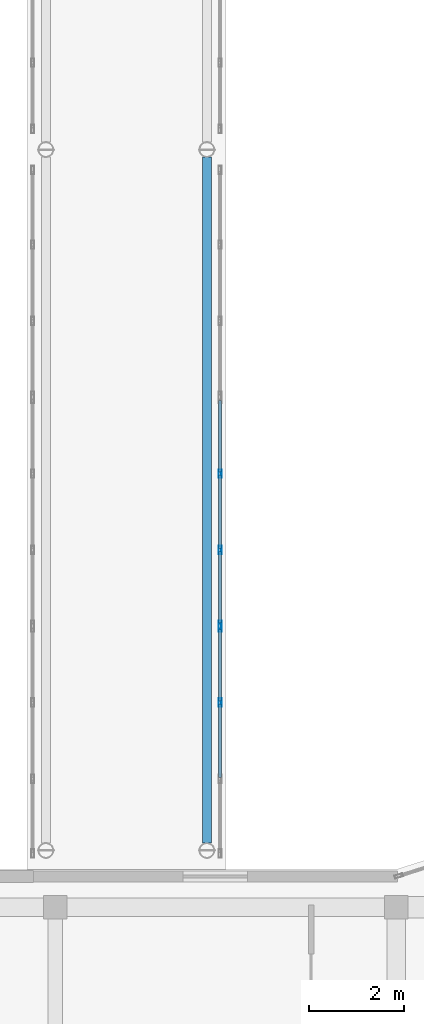
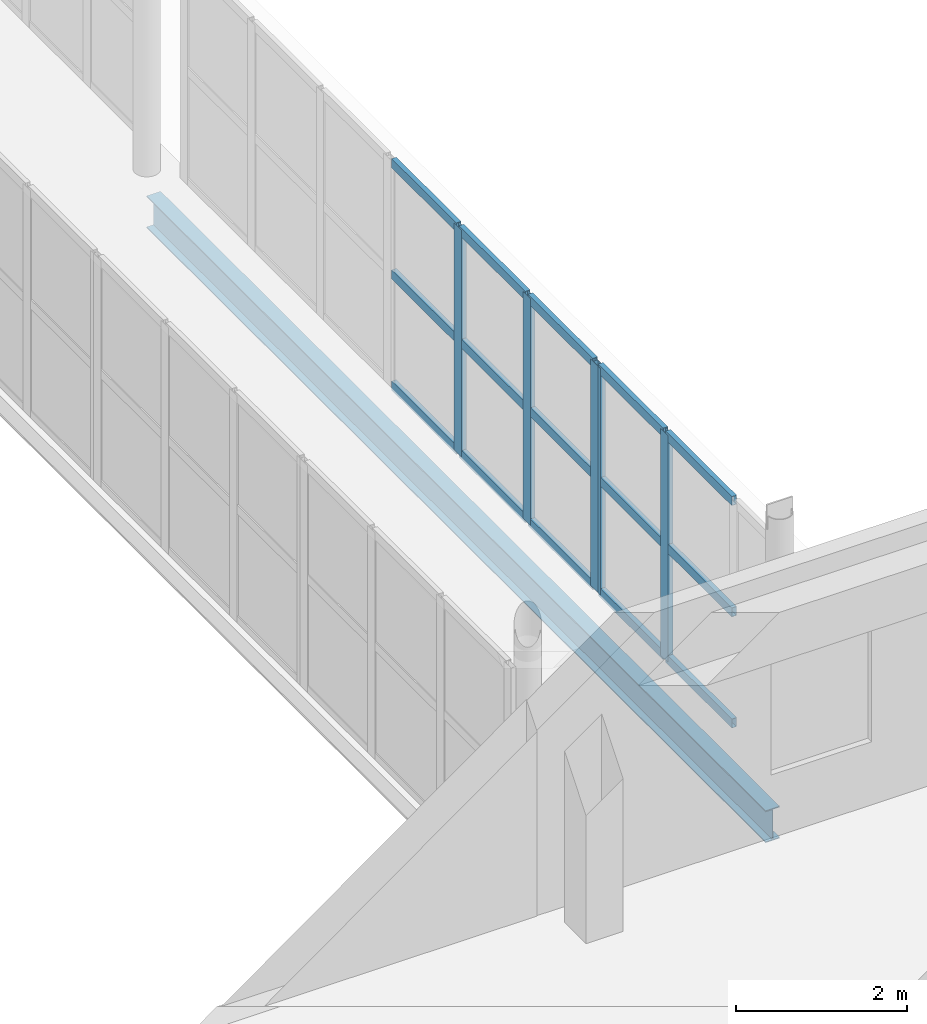
# One storey, part 22 of 52: 20 members, 1 beam, 2 elements without a shape of their own.
"""IFC4 building model written with IfcOpenShell, lengths in metres."""

from ifc_helpers import new_model, si_unit, direction, frame, origin, origin_2d, place, context, subcontext, project, spatial, hollow_rectangle, i_section, extrude, material, layer, layer_set, material_profile, profile_set, type_object, element, aggregate, save


model = new_model("IFC4")

# Units and contexts
model_context = context("Model", 3, precision=1e-05, world=origin(), true_north=direction((0.0, 1.0)))
body_context = subcontext(model_context, "Body", "Model", "MODEL_VIEW")
ifc_project = project(units=[si_unit("LENGTHUNIT", "METRE"), si_unit("AREAUNIT", "SQUARE_METRE"), si_unit("VOLUMEUNIT", "CUBIC_METRE"), si_unit("PLANEANGLEUNIT", "RADIAN"), si_unit("MASSUNIT", "GRAM", prefix="KILO")], contexts=[model_context])

# Site, building, storey
site_placement = place(None, origin())
site = spatial("IfcSite", under=ifc_project, at=site_placement, CompositionType="ELEMENT")
building_placement = place(site_placement, origin())
building = spatial("IfcBuilding", under=site, at=building_placement, Name="Valcora Specialist Clinic", CompositionType="ELEMENT")
storey_placement = place(building_placement, frame((0.0, 0.0, 17.679931640625)))
storey = spatial("IfcBuildingStorey", under=building, at=storey_placement, Name="L04", CompositionType="ELEMENT", Elevation=17.679931640625)

# Beam
ifc_material_1 = material(Name="Steel ASTM A992 Grade 50", Category="steel")
ifc_material_profile_1 = material_profile(ifc_material_1, i_section(OverallWidth=0.18994140625, OverallDepth=0.45703125, WebThickness=0.009033203125, FlangeThickness=0.014892578125, at=origin_2d()), Name="ST-IR-460X190")
ifc_profile_set_1 = profile_set([ifc_material_profile_1], Name="Steel ASTM A992 Grade 50")
beam_type = type_object("IfcBeamType", Name="TY-BG-IR460", PredefinedType="HOLLOWCORE", material=ifc_profile_set_1)
beam_placement = place(storey_placement, frame((65.0, 23.360107421875, -0.482421875), z_axis=(0.0, 1.0, 0.0), x_axis=(-1.0, 0.0, 0.0)))
element("IfcBeam", 1, at=beam_placement, inside=storey, type_object=beam_type, Name="Bridge girder BM-L04-1633", PredefinedType="HOLLOWCORE", context=body_context, shape_type="SweptSolid", body=[
    extrude(i_section(OverallWidth=0.18994140625, OverallDepth=0.45703125, WebThickness=0.009033203125, FlangeThickness=0.014892578125, at=origin_2d()), origin(), (0.0, 0.0, 1.0), 14.47998046875),
])

# Curtain wall, members
ifc_material_2 = material(Name="Anodized Bronze Aluminium 6063-T6", Category="aluminium")
ifc_layer = layer(ifc_material_2, 0.175048828125)
ifc_layer_set = layer_set([ifc_layer], Name="Anodized Bronze Aluminium 6063-T6")
curtain_wall_type = type_object("IfcCurtainWallType", Name="TY-CW-BRG14", PredefinedType="NOTDEFINED", material=ifc_layer_set)
curtain_wall_1_placement = place(storey_placement, origin())
curtain_wall_1 = element("IfcCurtainWall", 2, at=curtain_wall_1_placement, inside=storey, type_object=curtain_wall_type, Name="Curtain wall CW-L04-276", PredefinedType="NOTDEFINED")
ifc_material_profile_2 = material_profile(ifc_material_2, hollow_rectangle(XDim=0.06494140625, YDim=0.175048828125, WallThickness=0.00390625, at=origin_2d()), Name="AL-MUL-65X175")
ifc_profile_set_2 = profile_set([ifc_material_profile_2], Name="Anodized Bronze Aluminium 6063-T6")
member_type_1 = type_object("IfcMemberType", Name="TY-CWM-65X175", PredefinedType="MULLION", material=ifc_profile_set_2)
member_1_placement = place(storey_placement, frame((65.280029296875, 26.322265625, 0.0), z_axis=(0.0, 0.0, 1.0), x_axis=(-1.0, 0.0, 0.0)))
member_1 = element("IfcMember", 3, at=member_1_placement, type_object=member_type_1, Name="CW-BRG-14 mullion 3", PredefinedType="MULLION", context=body_context, shape_type="SweptSolid", body=[
    extrude(hollow_rectangle(XDim=0.06494140625, YDim=0.175048828125, WallThickness=0.00390625, at=origin_2d()), origin(), (0.0, 0.0, 1.0), 3.239990234375),
])
member_2_placement = place(storey_placement, frame((65.280029296875, 27.90087890625, 0.0), z_axis=(0.0, 0.0, 1.0), x_axis=(-1.0, 0.0, 0.0)))
member_2 = element("IfcMember", 4, at=member_2_placement, type_object=member_type_1, Name="CW-BRG-14 mullion 4", PredefinedType="MULLION", context=body_context, shape_type="SweptSolid", body=[
    extrude(hollow_rectangle(XDim=0.06494140625, YDim=0.175048828125, WallThickness=0.00390625, at=origin_2d()), origin(), (0.0, 0.0, 1.0), 3.239990234375),
])

curtain_wall_2_placement = place(storey_placement, origin())
curtain_wall_2 = element("IfcCurtainWall", 5, at=curtain_wall_2_placement, inside=storey, type_object=curtain_wall_type, Name="Curtain wall CW-L04-277", PredefinedType="NOTDEFINED")
member_3_placement = place(storey_placement, frame((65.280029296875, 27.9658203125, 0.0), z_axis=(0.0, 0.0, 1.0), x_axis=(-1.0, 0.0, 0.0)))
member_3 = element("IfcMember", 6, at=member_3_placement, type_object=member_type_1, Name="CW-BRG-14 mullion 1", PredefinedType="MULLION", context=body_context, shape_type="SweptSolid", body=[
    extrude(hollow_rectangle(XDim=0.06494140625, YDim=0.175048828125, WallThickness=0.00390625, at=origin_2d()), origin(), (0.0, 0.0, 1.0), 3.239990234375),
])
member_4_placement = place(storey_placement, frame((65.280029296875, 29.54443359375, 0.0), z_axis=(0.0, 0.0, 1.0), x_axis=(-1.0, 0.0, 0.0)))
member_4 = element("IfcMember", 7, at=member_4_placement, type_object=member_type_1, Name="CW-BRG-14 mullion 2", PredefinedType="MULLION", context=body_context, shape_type="SweptSolid", body=[
    extrude(hollow_rectangle(XDim=0.06494140625, YDim=0.175048828125, WallThickness=0.00390625, at=origin_2d()), origin(), (0.0, 0.0, 1.0), 3.239990234375),
])
member_5_placement = place(storey_placement, frame((65.280029296875, 31.155517578125, 0.0), z_axis=(0.0, 0.0, 1.0), x_axis=(-1.0, 0.0, 0.0)))
member_5 = element("IfcMember", 8, at=member_5_placement, type_object=member_type_1, Name="CW-BRG-14 mullion 3", PredefinedType="MULLION", context=body_context, shape_type="SweptSolid", body=[
    extrude(hollow_rectangle(XDim=0.06494140625, YDim=0.175048828125, WallThickness=0.00390625, at=origin_2d()), origin(), (0.0, 0.0, 1.0), 3.239990234375),
])

# Member
ifc_material_profile_3 = material_profile(ifc_material_2, hollow_rectangle(XDim=0.06494140625, YDim=0.1298828125, WallThickness=0.00390625, at=origin_2d()), Name="AL-TRN-65X130")
ifc_profile_set_3 = profile_set([ifc_material_profile_3], Name="Anodized Bronze Aluminium 6063-T6")
member_type_2 = type_object("IfcMemberType", Name="TY-CWT-65X130", PredefinedType="USERDEFINED", material=ifc_profile_set_3)
member_6_placement = place(storey_placement, frame((65.280029296875, 24.74365234375, 0.032470703125), z_axis=(0.0, 1.0, 0.0), x_axis=(-1.0, 0.0, 0.0)))
member_6 = element("IfcMember", 9, at=member_6_placement, type_object=member_type_2, Name="CW-BRG-14 transom 2.1", ObjectType="TRANSOM", PredefinedType="USERDEFINED", context=body_context, shape_type="SweptSolid", body=[
    extrude(hollow_rectangle(XDim=0.06494140625, YDim=0.1298828125, WallThickness=0.00390625, at=origin_2d()), origin(), (0.0, 0.0, 1.0), 1.546142578125),
])

member_7_placement = place(storey_placement, frame((65.280029296875, 24.74365234375, 1.6201171875), z_axis=(0.0, 1.0, 0.0), x_axis=(-1.0, 0.0, 0.0)))
member_7 = element("IfcMember", 10, at=member_7_placement, type_object=member_type_2, Name="CW-BRG-14 transom 2.2", ObjectType="TRANSOM", PredefinedType="USERDEFINED", context=body_context, shape_type="SweptSolid", body=[
    extrude(hollow_rectangle(XDim=0.06494140625, YDim=0.1298828125, WallThickness=0.00390625, at=origin_2d()), origin(), (0.0, 0.0, 1.0), 1.546142578125),
])

member_8_placement = place(storey_placement, frame((65.280029296875, 24.74365234375, 3.20751953125), z_axis=(0.0, 1.0, 0.0), x_axis=(-1.0, 0.0, 0.0)))
member_8 = element("IfcMember", 11, at=member_8_placement, type_object=member_type_2, Name="CW-BRG-14 transom 2.3", ObjectType="TRANSOM", PredefinedType="USERDEFINED", context=body_context, shape_type="SweptSolid", body=[
    extrude(hollow_rectangle(XDim=0.06494140625, YDim=0.1298828125, WallThickness=0.00390625, at=origin_2d()), origin(), (0.0, 0.0, 1.0), 1.546142578125),
])

member_9_placement = place(storey_placement, frame((65.280029296875, 26.354736328125, 0.032470703125), z_axis=(0.0, 1.0, 0.0), x_axis=(-1.0, 0.0, 0.0)))
member_9 = element("IfcMember", 12, at=member_9_placement, type_object=member_type_2, Name="CW-BRG-14 transom 3.1", ObjectType="TRANSOM", PredefinedType="USERDEFINED", context=body_context, shape_type="SweptSolid", body=[
    extrude(hollow_rectangle(XDim=0.06494140625, YDim=0.1298828125, WallThickness=0.00390625, at=origin_2d()), origin(), (0.0, 0.0, 1.0), 1.513671875),
])

member_10_placement = place(storey_placement, frame((65.280029296875, 26.354736328125, 1.6201171875), z_axis=(0.0, 1.0, 0.0), x_axis=(-1.0, 0.0, 0.0)))
member_10 = element("IfcMember", 13, at=member_10_placement, type_object=member_type_2, Name="CW-BRG-14 transom 3.2", ObjectType="TRANSOM", PredefinedType="USERDEFINED", context=body_context, shape_type="SweptSolid", body=[
    extrude(hollow_rectangle(XDim=0.06494140625, YDim=0.1298828125, WallThickness=0.00390625, at=origin_2d()), origin(), (0.0, 0.0, 1.0), 1.513671875),
])

member_11_placement = place(storey_placement, frame((65.280029296875, 26.354736328125, 3.20751953125), z_axis=(0.0, 1.0, 0.0), x_axis=(-1.0, 0.0, 0.0)))
member_11 = element("IfcMember", 14, at=member_11_placement, type_object=member_type_2, Name="CW-BRG-14 transom 3.3", ObjectType="TRANSOM", PredefinedType="USERDEFINED", context=body_context, shape_type="SweptSolid", body=[
    extrude(hollow_rectangle(XDim=0.06494140625, YDim=0.1298828125, WallThickness=0.00390625, at=origin_2d()), origin(), (0.0, 0.0, 1.0), 1.513671875),
])

aggregate(curtain_wall_1, [member_1, member_2, member_6, member_7, member_8, member_9, member_10, member_11])

member_12_placement = place(storey_placement, frame((65.280029296875, 27.998291015625, 0.032470703125), z_axis=(0.0, 1.0, 0.0), x_axis=(-1.0, 0.0, 0.0)))
member_12 = element("IfcMember", 15, at=member_12_placement, type_object=member_type_2, Name="CW-BRG-14 transom 1.1", ObjectType="TRANSOM", PredefinedType="USERDEFINED", context=body_context, shape_type="SweptSolid", body=[
    extrude(hollow_rectangle(XDim=0.06494140625, YDim=0.1298828125, WallThickness=0.00390625, at=origin_2d()), origin(), (0.0, 0.0, 1.0), 1.513671875),
])

member_13_placement = place(storey_placement, frame((65.280029296875, 27.998291015625, 1.6201171875), z_axis=(0.0, 1.0, 0.0), x_axis=(-1.0, 0.0, 0.0)))
member_13 = element("IfcMember", 16, at=member_13_placement, type_object=member_type_2, Name="CW-BRG-14 transom 1.2", ObjectType="TRANSOM", PredefinedType="USERDEFINED", context=body_context, shape_type="SweptSolid", body=[
    extrude(hollow_rectangle(XDim=0.06494140625, YDim=0.1298828125, WallThickness=0.00390625, at=origin_2d()), origin(), (0.0, 0.0, 1.0), 1.513671875),
])

member_14_placement = place(storey_placement, frame((65.280029296875, 27.998291015625, 3.20751953125), z_axis=(0.0, 1.0, 0.0), x_axis=(-1.0, 0.0, 0.0)))
member_14 = element("IfcMember", 17, at=member_14_placement, type_object=member_type_2, Name="CW-BRG-14 transom 1.3", ObjectType="TRANSOM", PredefinedType="USERDEFINED", context=body_context, shape_type="SweptSolid", body=[
    extrude(hollow_rectangle(XDim=0.06494140625, YDim=0.1298828125, WallThickness=0.00390625, at=origin_2d()), origin(), (0.0, 0.0, 1.0), 1.513671875),
])

member_15_placement = place(storey_placement, frame((65.280029296875, 29.576904296875, 0.032470703125), z_axis=(0.0, 1.0, 0.0), x_axis=(-1.0, 0.0, 0.0)))
member_15 = element("IfcMember", 18, at=member_15_placement, type_object=member_type_2, Name="CW-BRG-14 transom 2.1", ObjectType="TRANSOM", PredefinedType="USERDEFINED", context=body_context, shape_type="SweptSolid", body=[
    extrude(hollow_rectangle(XDim=0.06494140625, YDim=0.1298828125, WallThickness=0.00390625, at=origin_2d()), origin(), (0.0, 0.0, 1.0), 1.546142578125),
])

member_16_placement = place(storey_placement, frame((65.280029296875, 29.576904296875, 1.6201171875), z_axis=(0.0, 1.0, 0.0), x_axis=(-1.0, 0.0, 0.0)))
member_16 = element("IfcMember", 19, at=member_16_placement, type_object=member_type_2, Name="CW-BRG-14 transom 2.2", ObjectType="TRANSOM", PredefinedType="USERDEFINED", context=body_context, shape_type="SweptSolid", body=[
    extrude(hollow_rectangle(XDim=0.06494140625, YDim=0.1298828125, WallThickness=0.00390625, at=origin_2d()), origin(), (0.0, 0.0, 1.0), 1.546142578125),
])

member_17_placement = place(storey_placement, frame((65.280029296875, 29.576904296875, 3.20751953125), z_axis=(0.0, 1.0, 0.0), x_axis=(-1.0, 0.0, 0.0)))
member_17 = element("IfcMember", 20, at=member_17_placement, type_object=member_type_2, Name="CW-BRG-14 transom 2.3", ObjectType="TRANSOM", PredefinedType="USERDEFINED", context=body_context, shape_type="SweptSolid", body=[
    extrude(hollow_rectangle(XDim=0.06494140625, YDim=0.1298828125, WallThickness=0.00390625, at=origin_2d()), origin(), (0.0, 0.0, 1.0), 1.546142578125),
])

member_18_placement = place(storey_placement, frame((65.280029296875, 31.18798828125, 0.032470703125), z_axis=(0.0, 1.0, 0.0), x_axis=(-1.0, 0.0, 0.0)))
member_18 = element("IfcMember", 21, at=member_18_placement, type_object=member_type_2, Name="CW-BRG-14 transom 3.1", ObjectType="TRANSOM", PredefinedType="USERDEFINED", context=body_context, shape_type="SweptSolid", body=[
    extrude(hollow_rectangle(XDim=0.06494140625, YDim=0.1298828125, WallThickness=0.00390625, at=origin_2d()), origin(), (0.0, 0.0, 1.0), 1.513671875),
])

member_19_placement = place(storey_placement, frame((65.280029296875, 31.18798828125, 1.6201171875), z_axis=(0.0, 1.0, 0.0), x_axis=(-1.0, 0.0, 0.0)))
member_19 = element("IfcMember", 22, at=member_19_placement, type_object=member_type_2, Name="CW-BRG-14 transom 3.2", ObjectType="TRANSOM", PredefinedType="USERDEFINED", context=body_context, shape_type="SweptSolid", body=[
    extrude(hollow_rectangle(XDim=0.06494140625, YDim=0.1298828125, WallThickness=0.00390625, at=origin_2d()), origin(), (0.0, 0.0, 1.0), 1.513671875),
])

member_20_placement = place(storey_placement, frame((65.280029296875, 31.18798828125, 3.20751953125), z_axis=(0.0, 1.0, 0.0), x_axis=(-1.0, 0.0, 0.0)))
member_20 = element("IfcMember", 23, at=member_20_placement, type_object=member_type_2, Name="CW-BRG-14 transom 3.3", ObjectType="TRANSOM", PredefinedType="USERDEFINED", context=body_context, shape_type="SweptSolid", body=[
    extrude(hollow_rectangle(XDim=0.06494140625, YDim=0.1298828125, WallThickness=0.00390625, at=origin_2d()), origin(), (0.0, 0.0, 1.0), 1.513671875),
])

aggregate(curtain_wall_2, [member_3, member_4, member_5, member_12, member_13, member_14, member_15, member_16, member_17, member_18, member_19, member_20])

save(model, "model.ifc")
